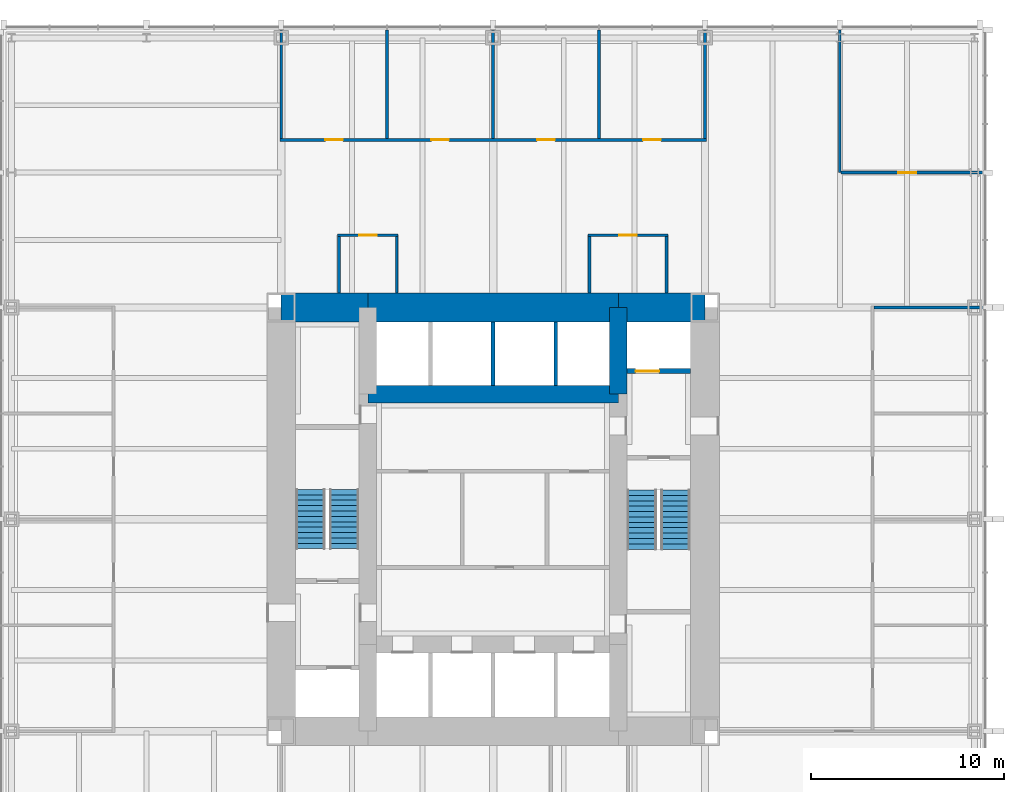
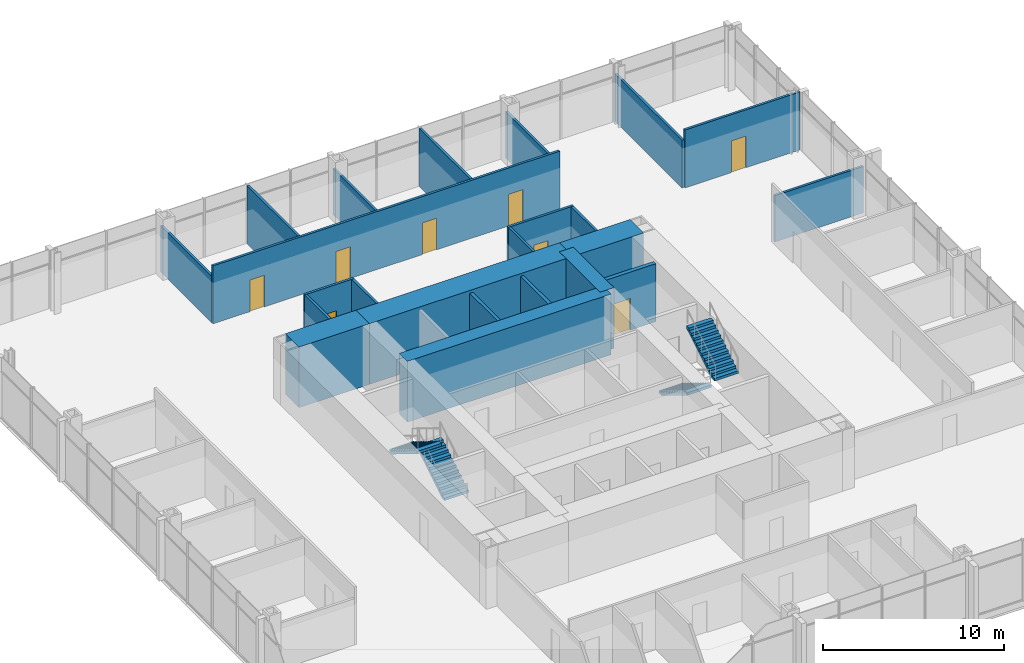
# One storey, part 11 of 12: 23 walls, 8 doors, 4 stair flights, 8 openings, 2 elements without a shape of their own.
"""IFC4 building model written with IfcOpenShell, lengths in metres."""

from ifc_helpers import new_model, si_unit, direction, frame, frame_2d, origin, place, context, subcontext, project, spatial, polyline, rectangle, outline, extrude, material, layer, layer_set, type_object, element, fill, aggregate, save


model = new_model("IFC4")

# Units and contexts
model_context = context("Model", 3, precision=1e-05, world=origin(), true_north=direction((0.0, 1.0)))
body_context = subcontext(model_context, "Body", "Model", "MODEL_VIEW")
ifc_project = project(units=[si_unit("LENGTHUNIT", "METRE"), si_unit("AREAUNIT", "SQUARE_METRE"), si_unit("VOLUMEUNIT", "CUBIC_METRE"), si_unit("PLANEANGLEUNIT", "RADIAN"), si_unit("MASSUNIT", "GRAM", prefix="KILO")], contexts=[model_context])

# Site, building, storey
site_placement = place(None, origin())
site = spatial("IfcSite", under=ifc_project, at=site_placement, CompositionType="ELEMENT")
building_placement = place(site_placement, origin())
building = spatial("IfcBuilding", under=site, at=building_placement, Name="Trevanion Tower", CompositionType="ELEMENT")
storey_placement = place(building_placement, frame((0.0, 0.0, 73.39990234375)))
storey = spatial("IfcBuildingStorey", under=building, at=storey_placement, Name="L17", CompositionType="ELEMENT", Elevation=73.39990234375)

# Walls
ifc_material_1 = material(Name="Concrete 10,000 psi", Category="concrete")
ifc_layer_1 = layer(ifc_material_1, 1.5)
ifc_layer_set_1 = layer_set([ifc_layer_1], Name="CW1 core wall 1500")
wall_type_1 = type_object("IfcWallType", Name="CW1 core wall 1500", PredefinedType="SHEAR", material=ifc_layer_set_1)
wall_1_placement = place(storey_placement, frame((11.0, 11.0, 0.0), z_axis=(0.0, 0.0, 1.0), x_axis=(-1.0, 0.0, 0.0)))
element("IfcWall", 1, at=wall_1_placement, inside=storey, type_object=wall_type_1, Name="CW1 CN1 L17", PredefinedType="SHEAR", context=body_context, shape_type="SweptSolid", body=[
    extrude(rectangle(XDim=4.5, YDim=1.5, at=frame_2d((2.25, 0.0))), origin(), (0.0, 0.0, 1.0), 4.10009765625),
])
wall_2_placement = place(storey_placement, frame((6.5, 11.0, 0.0), z_axis=(0.0, 0.0, 1.0), x_axis=(-1.0, 0.0, 0.0)))
element("IfcWall", 2, at=wall_2_placement, inside=storey, type_object=wall_type_1, Name="CW1 CN2 L17", PredefinedType="SHEAR", context=body_context, shape_type="SweptSolid", body=[
    extrude(rectangle(XDim=13.0, YDim=1.5, at=frame_2d((6.5, 0.0))), origin(), (0.0, 0.0, 1.0), 4.10009765625),
])
wall_3_placement = place(storey_placement, frame((-6.5, 11.0, 0.0), z_axis=(0.0, 0.0, 1.0), x_axis=(-1.0, 0.0, 0.0)))
element("IfcWall", 3, at=wall_3_placement, inside=storey, type_object=wall_type_1, Name="CW1 CN3 L17", PredefinedType="SHEAR", context=body_context, shape_type="SweptSolid", body=[
    extrude(rectangle(XDim=4.5, YDim=1.5, at=frame_2d((2.25, 0.0))), origin(), (0.0, 0.0, 1.0), 4.10009765625),
])
ifc_material_2 = material(Name="Concrete 10,000 psi", Category="concrete")
ifc_layer_2 = layer(ifc_material_2, 0.89990234375)
ifc_layer_set_2 = layer_set([ifc_layer_2], Name="CW2 core wall 900")
wall_type_2 = type_object("IfcWallType", Name="CW2 core wall 900", PredefinedType="SHEAR", material=ifc_layer_set_2)
wall_4_placement = place(storey_placement, frame((6.5, 6.5, 0.0), z_axis=(0.0, 0.0, 1.0), x_axis=(0.0, 1.0, 0.0)))
element("IfcWall", 4, at=wall_4_placement, inside=storey, type_object=wall_type_2, Name="CW2 RE3 L17", PredefinedType="SHEAR", context=body_context, shape_type="SweptSolid", body=[
    extrude(rectangle(XDim=4.5, YDim=0.89990234375, at=frame_2d((2.25, 0.0))), origin(), (0.0, 0.0, 1.0), 4.10009765625),
])
wall_5_placement = place(storey_placement, frame((6.5, 6.5, 0.0), z_axis=(0.0, 0.0, 1.0), x_axis=(-1.0, 0.0, 0.0)))
element("IfcWall", 5, at=wall_5_placement, inside=storey, type_object=wall_type_2, Name="CW2 RN L17", PredefinedType="SHEAR", context=body_context, shape_type="SweptSolid", body=[
    extrude(rectangle(XDim=13.0, YDim=0.89990234375, at=frame_2d((6.5, 0.0))), origin(), (0.0, 0.0, 1.0), 4.10009765625),
])
ifc_material_3 = material(Name="Gypsum board on steel studs", Category="steel")
ifc_layer_3 = layer(ifc_material_3, 0.14990234375)
ifc_layer_set_3 = layer_set([ifc_layer_3], Name="PT1 partition 150")
wall_type_3 = type_object("IfcWallType", Name="PT1 partition 150", PredefinedType="PARTITIONING", material=ifc_layer_set_3)
wall_6_placement = place(storey_placement, frame((18.0, 18.0, 0.0), z_axis=(0.0, 0.0, 1.0), x_axis=(0.0, 1.0, 0.0)))
element("IfcWall", 6, at=wall_6_placement, inside=storey, type_object=wall_type_3, Name="PT1 L17 KW0a", PredefinedType="PARTITIONING", context=body_context, shape_type="SweptSolid", body=[
    extrude(rectangle(XDim=7.4150390625, YDim=0.14990234375, at=frame_2d((3.70751953125, 0.0))), origin(), (0.0, 0.0, 1.0), 3.216796875),
])

# Wall, opening, door
wall_7_placement = place(storey_placement, frame((18.074951171875, 18.0, 0.0), z_axis=(0.0, 0.0, 1.0), x_axis=(1.0, 0.0, 0.0)))
wall_7 = element("IfcWall", 7, at=wall_7_placement, inside=storey, type_object=wall_type_3, Name="PT1 L17 KW0b", PredefinedType="PARTITIONING", context=body_context, shape_type="SweptSolid", body=[
    extrude(rectangle(XDim=7.340087890625, YDim=0.14990234375, at=frame_2d((3.669921875, 0.0))), origin(), (0.0, 0.0, 1.0), 3.91015625),
])
opening_1_placement = place(wall_7_placement, frame((2.967529296875, 0.0, 0.0)))
opening_1 = element("IfcOpeningElement", 8, at=opening_1_placement, cuts=wall_7, Name="Opening 17-020", PredefinedType="OPENING", context=body_context, shape_type="SweptSolid", body=[
    extrude(rectangle(XDim=0.9150390625, YDim=2.134033203125, at=frame_2d((0.45751953125, 1.06689453125))), frame((0.0, 0.0849609375, 0.0), z_axis=(0.0, -1.0, 0.0), x_axis=(1.0, 0.0, 0.0)), (0.0, 0.0, 1.0), 0.169921875),
])
ifc_material_4 = material(Name="Timber veneer, solid core", Category="wood")
door_type_1 = type_object("IfcDoorType", Name="D1 office and meeting room door", OperationType="SINGLE_SWING_LEFT", PredefinedType="DOOR", material=ifc_material_4)
door_1_placement = place(opening_1_placement, origin())
door_1 = element("IfcDoor", 9, at=door_1_placement, inside=storey, type_object=door_type_1, Name="Door 17-020", OperationType="SINGLE_SWING_LEFT", OverallHeight=2.134033203125, OverallWidth=0.9150390625, PredefinedType="DOOR", context=body_context, shape_type="SweptSolid", body=[
    extrude(rectangle(XDim=0.9150390625, YDim=2.134033203125, at=frame_2d((0.45751953125, 1.06689453125))), frame((0.0, 0.02490234375, 0.0), z_axis=(0.0, -1.0, 0.0), x_axis=(1.0, 0.0, 0.0)), (0.0, 0.0, 1.0), 0.050048828125),
])
fill(opening_1, door_1)

# Wall, openings, doors
wall_8_placement = place(storey_placement, frame((11.074951171875, 19.699951171875, 0.0), z_axis=(0.0, 0.0, 1.0), x_axis=(-1.0, 0.0, 0.0)))
wall_8 = element("IfcWall", 10, at=wall_8_placement, inside=storey, type_object=wall_type_3, Name="PT1 L17 FC1F", PredefinedType="PARTITIONING", context=body_context, shape_type="SweptSolid", body=[
    extrude(rectangle(XDim=22.14990234375, YDim=0.14990234375, at=frame_2d((11.074951171875, 0.0))), origin(), (0.0, 0.0, 1.0), 3.91015625),
])
opening_2_placement = place(wall_8_placement, frame((2.367431640625, 0.0, 0.0)))
opening_2 = element("IfcOpeningElement", 11, at=opening_2_placement, cuts=wall_8, Name="Opening 17-022", PredefinedType="OPENING", context=body_context, shape_type="SweptSolid", body=[
    extrude(rectangle(XDim=0.9150390625, YDim=2.134033203125, at=frame_2d((0.45751953125, 1.06689453125))), frame((0.0, 0.0849609375, 0.0), z_axis=(0.0, -1.0, 0.0), x_axis=(1.0, 0.0, 0.0)), (0.0, 0.0, 1.0), 0.169921875),
])
opening_3_placement = place(wall_8_placement, frame((7.867431640625, 0.0, 0.0)))
opening_3 = element("IfcOpeningElement", 12, at=opening_3_placement, cuts=wall_8, Name="Opening 17-023", PredefinedType="OPENING", context=body_context, shape_type="SweptSolid", body=[
    extrude(rectangle(XDim=0.9150390625, YDim=2.134033203125, at=frame_2d((0.45751953125, 1.06689453125))), frame((0.0, 0.0849609375, 0.0), z_axis=(0.0, -1.0, 0.0), x_axis=(1.0, 0.0, 0.0)), (0.0, 0.0, 1.0), 0.169921875),
])
opening_4_placement = place(wall_8_placement, frame((13.367431640625, 0.0, 0.0)))
opening_4 = element("IfcOpeningElement", 13, at=opening_4_placement, cuts=wall_8, Name="Opening 17-024", PredefinedType="OPENING", context=body_context, shape_type="SweptSolid", body=[
    extrude(rectangle(XDim=0.9150390625, YDim=2.134033203125, at=frame_2d((0.45751953125, 1.06689453125))), frame((0.0, 0.0849609375, 0.0), z_axis=(0.0, -1.0, 0.0), x_axis=(1.0, 0.0, 0.0)), (0.0, 0.0, 1.0), 0.169921875),
])
opening_5_placement = place(wall_8_placement, frame((18.867431640625, 0.0, 0.0)))
opening_5 = element("IfcOpeningElement", 14, at=opening_5_placement, cuts=wall_8, Name="Opening 17-025", PredefinedType="OPENING", context=body_context, shape_type="SweptSolid", body=[
    extrude(rectangle(XDim=0.9150390625, YDim=2.134033203125, at=frame_2d((0.45751953125, 1.06689453125))), frame((0.0, 0.0849609375, 0.0), z_axis=(0.0, -1.0, 0.0), x_axis=(1.0, 0.0, 0.0)), (0.0, 0.0, 1.0), 0.169921875),
])
door_2_placement = place(opening_2_placement, origin())
door_2 = element("IfcDoor", 15, at=door_2_placement, inside=storey, type_object=door_type_1, Name="Door 17-022", OperationType="SINGLE_SWING_LEFT", OverallHeight=2.134033203125, OverallWidth=0.9150390625, PredefinedType="DOOR", context=body_context, shape_type="SweptSolid", body=[
    extrude(rectangle(XDim=0.9150390625, YDim=2.134033203125, at=frame_2d((0.45751953125, 1.06689453125))), frame((0.0, 0.02490234375, 0.0), z_axis=(0.0, -1.0, 0.0), x_axis=(1.0, 0.0, 0.0)), (0.0, 0.0, 1.0), 0.050048828125),
])
fill(opening_2, door_2)
door_3_placement = place(opening_3_placement, origin())
door_3 = element("IfcDoor", 16, at=door_3_placement, inside=storey, type_object=door_type_1, Name="Door 17-023", OperationType="SINGLE_SWING_LEFT", OverallHeight=2.134033203125, OverallWidth=0.9150390625, PredefinedType="DOOR", context=body_context, shape_type="SweptSolid", body=[
    extrude(rectangle(XDim=0.9150390625, YDim=2.134033203125, at=frame_2d((0.45751953125, 1.06689453125))), frame((0.0, 0.02490234375, 0.0), z_axis=(0.0, -1.0, 0.0), x_axis=(1.0, 0.0, 0.0)), (0.0, 0.0, 1.0), 0.050048828125),
])
fill(opening_3, door_3)
door_4_placement = place(opening_4_placement, origin())
door_4 = element("IfcDoor", 17, at=door_4_placement, inside=storey, type_object=door_type_1, Name="Door 17-024", OperationType="SINGLE_SWING_LEFT", OverallHeight=2.134033203125, OverallWidth=0.9150390625, PredefinedType="DOOR", context=body_context, shape_type="SweptSolid", body=[
    extrude(rectangle(XDim=0.9150390625, YDim=2.134033203125, at=frame_2d((0.45751953125, 1.06689453125))), frame((0.0, 0.02490234375, 0.0), z_axis=(0.0, -1.0, 0.0), x_axis=(1.0, 0.0, 0.0)), (0.0, 0.0, 1.0), 0.050048828125),
])
fill(opening_4, door_4)
door_5_placement = place(opening_5_placement, origin())
door_5 = element("IfcDoor", 18, at=door_5_placement, inside=storey, type_object=door_type_1, Name="Door 17-025", OperationType="SINGLE_SWING_LEFT", OverallHeight=2.134033203125, OverallWidth=0.9150390625, PredefinedType="DOOR", context=body_context, shape_type="SweptSolid", body=[
    extrude(rectangle(XDim=0.9150390625, YDim=2.134033203125, at=frame_2d((0.45751953125, 1.06689453125))), frame((0.0, 0.02490234375, 0.0), z_axis=(0.0, -1.0, 0.0), x_axis=(1.0, 0.0, 0.0)), (0.0, 0.0, 1.0), 0.050048828125),
])
fill(opening_5, door_5)

# Walls
wall_9_placement = place(storey_placement, frame((11.0, 19.77490234375, 0.0), z_axis=(0.0, 0.0, 1.0), x_axis=(0.0, 1.0, 0.0)))
element("IfcWall", 19, at=wall_9_placement, inside=storey, type_object=wall_type_3, Name="PT1 L17 FC1S0", PredefinedType="PARTITIONING", context=body_context, shape_type="SweptSolid", body=[
    extrude(rectangle(XDim=5.64013671875, YDim=0.14990234375, at=frame_2d((2.820068359375, 0.0))), origin(), (0.0, 0.0, 1.0), 3.13037109375),
])
wall_10_placement = place(storey_placement, frame((5.5, 19.77490234375, 0.0), z_axis=(0.0, 0.0, 1.0), x_axis=(0.0, 1.0, 0.0)))
element("IfcWall", 20, at=wall_10_placement, inside=storey, type_object=wall_type_3, Name="PT1 L17 FC1S2", PredefinedType="PARTITIONING", context=body_context, shape_type="SweptSolid", body=[
    extrude(rectangle(XDim=5.64013671875, YDim=0.14990234375, at=frame_2d((2.820068359375, 0.0))), origin(), (0.0, 0.0, 1.0), 3.91015625),
])
wall_11_placement = place(storey_placement, frame((0.0, 19.77490234375, 0.0), z_axis=(0.0, 0.0, 1.0), x_axis=(0.0, 1.0, 0.0)))
element("IfcWall", 21, at=wall_11_placement, inside=storey, type_object=wall_type_3, Name="PT1 L17 FC1S4", PredefinedType="PARTITIONING", context=body_context, shape_type="SweptSolid", body=[
    extrude(rectangle(XDim=5.64013671875, YDim=0.14990234375, at=frame_2d((2.820068359375, 0.0))), origin(), (0.0, 0.0, 1.0), 3.13037109375),
])
wall_12_placement = place(storey_placement, frame((-5.5, 19.77490234375, 0.0), z_axis=(0.0, 0.0, 1.0), x_axis=(0.0, 1.0, 0.0)))
element("IfcWall", 22, at=wall_12_placement, inside=storey, type_object=wall_type_3, Name="PT1 L17 FC1S6", PredefinedType="PARTITIONING", context=body_context, shape_type="SweptSolid", body=[
    extrude(rectangle(XDim=5.64013671875, YDim=0.14990234375, at=frame_2d((2.820068359375, 0.0))), origin(), (0.0, 0.0, 1.0), 3.91015625),
])
for number, where, z_axis, x_axis, name in (
    (23, (-11.0, 19.77490234375, 0.0), (0.0, 0.0, 1.0), (0.0, 1.0, 0.0), "PT1 L17 FC1S8"),
    (24, (19.77490234375, 11.0, 0.0), (0.0, 0.0, 1.0), (1.0, 0.0, 0.0), "PT1 L17 FC0S8"),
):
    element("IfcWall", number, at=place(storey_placement, frame(where, z_axis=z_axis, x_axis=x_axis)), inside=storey, type_object=wall_type_3, Name=name, PredefinedType="PARTITIONING", context=body_context, shape_type="SweptSolid", body=[
        extrude(rectangle(XDim=5.64013671875, YDim=0.14990234375, at=frame_2d((2.820068359375, 0.0))), origin(), (0.0, 0.0, 1.0), 3.13037109375),
    ])

# Wall, opening, door
wall_13_placement = place(storey_placement, frame((9.074951171875, 14.75, 0.0), z_axis=(0.0, 0.0, 1.0), x_axis=(-1.0, 0.0, 0.0)))
wall_13 = element("IfcWall", 25, at=wall_13_placement, inside=storey, type_object=wall_type_3, Name="PT1 L17 IN10F", PredefinedType="PARTITIONING", context=body_context, shape_type="SweptSolid", body=[
    extrude(rectangle(XDim=4.14990234375, YDim=0.14990234375, at=frame_2d((2.074951171875, 0.0))), origin(), (0.0, 0.0, 1.0), 3.91015625),
])
opening_6_placement = place(wall_13_placement, frame((1.617431640625, 0.0, 0.0)))
opening_6 = element("IfcOpeningElement", 26, at=opening_6_placement, cuts=wall_13, Name="Opening 17-040", PredefinedType="OPENING", context=body_context, shape_type="SweptSolid", body=[
    extrude(rectangle(XDim=0.9150390625, YDim=2.134033203125, at=frame_2d((0.45751953125, 1.06689453125))), frame((0.0, 0.0849609375, 0.0), z_axis=(0.0, -1.0, 0.0), x_axis=(1.0, 0.0, 0.0)), (0.0, 0.0, 1.0), 0.169921875),
])
door_6_placement = place(opening_6_placement, origin())
door_6 = element("IfcDoor", 27, at=door_6_placement, inside=storey, type_object=door_type_1, Name="Door 17-040", OperationType="SINGLE_SWING_LEFT", OverallHeight=2.134033203125, OverallWidth=0.9150390625, PredefinedType="DOOR", context=body_context, shape_type="SweptSolid", body=[
    extrude(rectangle(XDim=0.9150390625, YDim=2.134033203125, at=frame_2d((0.45751953125, 1.06689453125))), frame((0.0, 0.02490234375, 0.0), z_axis=(0.0, -1.0, 0.0), x_axis=(1.0, 0.0, 0.0)), (0.0, 0.0, 1.0), 0.050048828125),
])
fill(opening_6, door_6)

# Walls
for number, where, z_axis, x_axis, name in (
    (28, (9.0, 14.675048828125, 0.0), (0.0, 0.0, 1.0), (0.0, -1.0, 0.0), "PT1 L17 IN10S0"),
    (29, (5.0, 14.675048828125, 0.0), (0.0, 0.0, 1.0), (0.0, -1.0, 0.0), "PT1 L17 IN10S1"),
):
    element("IfcWall", number, at=place(storey_placement, frame(where, z_axis=z_axis, x_axis=x_axis)), inside=storey, type_object=wall_type_3, Name=name, PredefinedType="PARTITIONING", context=body_context, shape_type="SweptSolid", body=[
        extrude(rectangle(XDim=2.925048828125, YDim=0.14990234375, at=frame_2d((1.46240234375, 0.0))), origin(), (0.0, 0.0, 1.0), 3.91015625),
    ])

# Wall, opening, door
wall_14_placement = place(storey_placement, frame((-4.925048828125, 14.75, 0.0), z_axis=(0.0, 0.0, 1.0), x_axis=(-1.0, 0.0, 0.0)))
wall_14 = element("IfcWall", 30, at=wall_14_placement, inside=storey, type_object=wall_type_3, Name="PT1 L17 IN11F", PredefinedType="PARTITIONING", context=body_context, shape_type="SweptSolid", body=[
    extrude(rectangle(XDim=3.14990234375, YDim=0.14990234375, at=frame_2d((1.574951171875, 0.0))), origin(), (0.0, 0.0, 1.0), 3.91015625),
])
opening_7_placement = place(wall_14_placement, frame((1.117431640625, 0.0, 0.0)))
opening_7 = element("IfcOpeningElement", 31, at=opening_7_placement, cuts=wall_14, Name="Opening 17-041", PredefinedType="OPENING", context=body_context, shape_type="SweptSolid", body=[
    extrude(rectangle(XDim=0.9150390625, YDim=2.134033203125, at=frame_2d((0.45751953125, 1.06689453125))), frame((0.0, 0.0849609375, 0.0), z_axis=(0.0, -1.0, 0.0), x_axis=(1.0, 0.0, 0.0)), (0.0, 0.0, 1.0), 0.169921875),
])
door_7_placement = place(opening_7_placement, origin())
door_7 = element("IfcDoor", 32, at=door_7_placement, inside=storey, type_object=door_type_1, Name="Door 17-041", OperationType="SINGLE_SWING_LEFT", OverallHeight=2.134033203125, OverallWidth=0.9150390625, PredefinedType="DOOR", context=body_context, shape_type="SweptSolid", body=[
    extrude(rectangle(XDim=0.9150390625, YDim=2.134033203125, at=frame_2d((0.45751953125, 1.06689453125))), frame((0.0, 0.02490234375, 0.0), z_axis=(0.0, -1.0, 0.0), x_axis=(1.0, 0.0, 0.0)), (0.0, 0.0, 1.0), 0.050048828125),
])
fill(opening_7, door_7)

# Walls
for number, where, z_axis, x_axis, name in (
    (33, (-5.0, 14.675048828125, 0.0), (0.0, 0.0, 1.0), (0.0, -1.0, 0.0), "PT1 L17 IN11S0"),
    (34, (-8.0, 14.675048828125, 0.0), (0.0, 0.0, 1.0), (0.0, -1.0, 0.0), "PT1 L17 IN11S1"),
):
    element("IfcWall", number, at=place(storey_placement, frame(where, z_axis=z_axis, x_axis=x_axis)), inside=storey, type_object=wall_type_3, Name=name, PredefinedType="PARTITIONING", context=body_context, shape_type="SweptSolid", body=[
        extrude(rectangle(XDim=2.925048828125, YDim=0.14990234375, at=frame_2d((1.46240234375, 0.0))), origin(), (0.0, 0.0, 1.0), 3.91015625),
    ])
ifc_material_5 = material(Name="Concrete masonry, grouted", Category="masonry")
ifc_layer_4 = layer(ifc_material_5, 0.199951171875)
ifc_layer_set_4 = layer_set([ifc_layer_4], Name="PT2 partition 200 2 HR")
wall_type_4 = type_object("IfcWallType", Name="PT2 partition 200 2 HR", PredefinedType="PARTITIONING", material=ifc_layer_set_4)
for number, where, z_axis, x_axis, name in (
    (35, (0.0, 6.949951171875, 0.0), (0.0, 0.0, 1.0), (0.0, 1.0, 0.0), "PT2 L17 NS1"),
    (36, (3.25, 6.949951171875, 0.0), (0.0, 0.0, 1.0), (0.0, 1.0, 0.0), "PT2 L17 NS2"),
):
    element("IfcWall", number, at=place(storey_placement, frame(where, z_axis=z_axis, x_axis=x_axis)), inside=storey, type_object=wall_type_4, Name=name, PredefinedType="PARTITIONING", context=body_context, shape_type="SweptSolid", body=[
        extrude(rectangle(XDim=3.300048828125, YDim=0.199951171875, at=frame_2d((1.64990234375, 0.0))), origin(), (0.0, 0.0, 1.0), 3.91015625),
    ])

# Wall, opening, door
ifc_material_6 = material(Name="Concrete masonry, grouted, two-hour", Category="masonry")
ifc_layer_5 = layer(ifc_material_6, 0.25)
ifc_layer_set_5 = layer_set([ifc_layer_5], Name="PT3 partition 250 2 HR")
wall_type_5 = type_object("IfcWallType", Name="PT3 partition 250 2 HR", PredefinedType="PARTITIONING", material=ifc_layer_set_5)
wall_15_placement = place(storey_placement, frame((6.949951171875, 7.699951171875, 0.0), z_axis=(0.0, 0.0, 1.0), x_axis=(1.0, 0.0, 0.0)))
wall_15 = element("IfcWall", 37, at=wall_15_placement, inside=storey, type_object=wall_type_5, Name="PT3 L17 EP3", PredefinedType="PARTITIONING", context=body_context, shape_type="SweptSolid", body=[
    extrude(rectangle(XDim=3.300048828125, YDim=0.25, at=frame_2d((1.64990234375, 0.0))), origin(), (0.0, 0.0, 1.0), 3.91015625),
])
opening_8_placement = place(wall_15_placement, frame((0.449951171875, 0.0, 0.0)))
opening_8 = element("IfcOpeningElement", 38, at=opening_8_placement, cuts=wall_15, Name="Opening 17-007", PredefinedType="OPENING", context=body_context, shape_type="SweptSolid", body=[
    extrude(rectangle(XDim=1.218994140625, YDim=2.134033203125, at=frame_2d((0.609375, 1.06689453125))), frame((0.0, 0.135009765625, 0.0), z_axis=(0.0, -1.0, 0.0), x_axis=(1.0, 0.0, 0.0)), (0.0, 0.0, 1.0), 0.27001953125),
])
ifc_material_7 = material(Name="Stainless steel, fire rated", Category="steel")
door_type_2 = type_object("IfcDoorType", Name="LD2 fire service lift landing door", OperationType="SLIDING_TO_LEFT", PredefinedType="DOOR", material=ifc_material_7)
door_8_placement = place(opening_8_placement, origin())
door_8 = element("IfcDoor", 39, at=door_8_placement, inside=storey, type_object=door_type_2, Name="Door 17-007", OperationType="SLIDING_TO_LEFT", OverallHeight=2.134033203125, OverallWidth=1.218994140625, PredefinedType="DOOR", context=body_context, shape_type="SweptSolid", body=[
    extrude(rectangle(XDim=1.218994140625, YDim=2.134033203125, at=frame_2d((0.609375, 1.06689453125))), frame((0.0, 0.02490234375, 0.0), z_axis=(0.0, -1.0, 0.0), x_axis=(1.0, 0.0, 0.0)), (0.0, 0.0, 1.0), 0.050048828125),
])
fill(opening_8, door_8)

# Stair, stair flights
ifc_material_8 = material(Name="Concrete 5,000 psi on steel stringers", Category="concrete")
stair_type = type_object("IfcStairType", Name="ST stair", PredefinedType="HALF_TURN_STAIR", material=ifc_material_8)
stair_1_placement = place(storey_placement, origin())
stair_1 = element("IfcStair", 40, at=stair_1_placement, inside=storey, type_object=stair_type, Name="ST1 L17", PredefinedType="HALF_TURN_STAIR")
ifc_material_9 = material(Name="Concrete 5,000 psi in steel pan", Category="concrete")
stair_flight_type = type_object("IfcStairFlightType", Name="STF stair flight", PredefinedType="STRAIGHT", material=ifc_material_9)
stair_flight_1_placement = place(storey_placement, frame((7.72509765625, 1.52490234375, 0.0), z_axis=(0.0, 0.0, 1.0), x_axis=(0.0, -1.0, 0.0)))
stair_flight_1 = element("IfcStairFlight", 41, at=stair_flight_1_placement, type_object=stair_flight_type, Name="ST1 flight 1", NumberOfRisers=12, NumberOfTreads=11, PredefinedType="STRAIGHT", RiserHeight=0.170833333, TreadLength=0.28, context=body_context, shape_type="SweptSolid", body=[
    extrude(outline(polyline([(0.0, 0.0), (0.0, 0.1708984375), (0.280029296875, 0.1708984375), (0.280029296875, 0.341552734375), (0.56005859375, 0.341552734375), (0.56005859375, 0.512451171875), (0.840087890625, 0.512451171875), (0.840087890625, 0.683349609375), (1.1201171875, 0.683349609375), (1.1201171875, 0.854248046875), (1.39990234375, 0.854248046875), (1.39990234375, 1.02490234375), (1.679931640625, 1.02490234375), (1.679931640625, 1.19580078125), (1.9599609375, 1.19580078125), (1.9599609375, 1.36669921875), (2.239990234375, 1.36669921875), (2.239990234375, 1.53759765625), (2.52001953125, 1.53759765625), (2.52001953125, 1.708251953125), (2.800048828125, 1.708251953125), (2.800048828125, 1.879150390625), (3.080078125, 1.879150390625), (3.080078125, 2.050048828125), (3.080078125, 1.70361328125), (0.287841796875, 0.0), (0.0, 0.0)])), frame((0.0, 0.77490234375, 0.0), z_axis=(0.0, -1.0, 0.0), x_axis=(1.0, 0.0, 0.0)), (0.0, 0.0, 1.0), 1.550048828125),
])
stair_flight_2_placement = place(storey_placement, frame((9.47509765625, -1.554931640625, 2.050048828125), z_axis=(0.0, 0.0, 1.0), x_axis=(0.0, 1.0, 0.0)))
stair_flight_2 = element("IfcStairFlight", 42, at=stair_flight_2_placement, type_object=stair_flight_type, Name="ST1 flight 2", NumberOfRisers=12, NumberOfTreads=11, PredefinedType="STRAIGHT", RiserHeight=0.170833333, TreadLength=0.28, context=body_context, shape_type="SweptSolid", body=[
    extrude(outline(polyline([(0.0, 0.0), (0.0, 0.1708984375), (0.280029296875, 0.1708984375), (0.280029296875, 0.341552734375), (0.56005859375, 0.341552734375), (0.56005859375, 0.512451171875), (0.840087890625, 0.512451171875), (0.840087890625, 0.683349609375), (1.1201171875, 0.683349609375), (1.1201171875, 0.854248046875), (1.39990234375, 0.854248046875), (1.39990234375, 1.02490234375), (1.679931640625, 1.02490234375), (1.679931640625, 1.19580078125), (1.9599609375, 1.19580078125), (1.9599609375, 1.36669921875), (2.239990234375, 1.36669921875), (2.239990234375, 1.53759765625), (2.52001953125, 1.53759765625), (2.52001953125, 1.708251953125), (2.800048828125, 1.708251953125), (2.800048828125, 1.879150390625), (3.080078125, 1.879150390625), (3.080078125, 2.050048828125), (3.080078125, 1.70361328125), (0.287841796875, 0.0), (0.0, 0.0)])), frame((0.0, 0.77490234375, 0.0), z_axis=(0.0, -1.0, 0.0), x_axis=(1.0, 0.0, 0.0)), (0.0, 0.0, 1.0), 1.550048828125),
])
aggregate(stair_1, [stair_flight_1, stair_flight_2])

stair_2_placement = place(storey_placement, origin())
stair_2 = element("IfcStair", 43, at=stair_2_placement, inside=storey, type_object=stair_type, Name="ST2 L17", PredefinedType="HALF_TURN_STAIR")
stair_flight_3_placement = place(storey_placement, frame((-7.72509765625, -1.52490234375, 0.0), z_axis=(0.0, 0.0, 1.0), x_axis=(0.0, 1.0, 0.0)))
stair_flight_3 = element("IfcStairFlight", 44, at=stair_flight_3_placement, type_object=stair_flight_type, Name="ST2 flight 1", NumberOfRisers=12, NumberOfTreads=11, PredefinedType="STRAIGHT", RiserHeight=0.170833333, TreadLength=0.28, context=body_context, shape_type="SweptSolid", body=[
    extrude(outline(polyline([(0.0, 0.0), (0.0, 0.1708984375), (0.280029296875, 0.1708984375), (0.280029296875, 0.341552734375), (0.56005859375, 0.341552734375), (0.56005859375, 0.512451171875), (0.840087890625, 0.512451171875), (0.840087890625, 0.683349609375), (1.1201171875, 0.683349609375), (1.1201171875, 0.854248046875), (1.39990234375, 0.854248046875), (1.39990234375, 1.02490234375), (1.679931640625, 1.02490234375), (1.679931640625, 1.19580078125), (1.9599609375, 1.19580078125), (1.9599609375, 1.36669921875), (2.239990234375, 1.36669921875), (2.239990234375, 1.53759765625), (2.52001953125, 1.53759765625), (2.52001953125, 1.708251953125), (2.800048828125, 1.708251953125), (2.800048828125, 1.879150390625), (3.080078125, 1.879150390625), (3.080078125, 2.050048828125), (3.080078125, 1.70361328125), (0.287841796875, 0.0), (0.0, 0.0)])), frame((0.0, 0.77490234375, 0.0), z_axis=(0.0, -1.0, 0.0), x_axis=(1.0, 0.0, 0.0)), (0.0, 0.0, 1.0), 1.550048828125),
])
stair_flight_4_placement = place(storey_placement, frame((-9.47509765625, 1.554931640625, 2.050048828125), z_axis=(0.0, 0.0, 1.0), x_axis=(0.0, -1.0, 0.0)))
stair_flight_4 = element("IfcStairFlight", 45, at=stair_flight_4_placement, type_object=stair_flight_type, Name="ST2 flight 2", NumberOfRisers=12, NumberOfTreads=11, PredefinedType="STRAIGHT", RiserHeight=0.170833333, TreadLength=0.28, context=body_context, shape_type="SweptSolid", body=[
    extrude(outline(polyline([(0.0, 0.0), (0.0, 0.1708984375), (0.280029296875, 0.1708984375), (0.280029296875, 0.341552734375), (0.56005859375, 0.341552734375), (0.56005859375, 0.512451171875), (0.840087890625, 0.512451171875), (0.840087890625, 0.683349609375), (1.1201171875, 0.683349609375), (1.1201171875, 0.854248046875), (1.39990234375, 0.854248046875), (1.39990234375, 1.02490234375), (1.679931640625, 1.02490234375), (1.679931640625, 1.19580078125), (1.9599609375, 1.19580078125), (1.9599609375, 1.36669921875), (2.239990234375, 1.36669921875), (2.239990234375, 1.53759765625), (2.52001953125, 1.53759765625), (2.52001953125, 1.708251953125), (2.800048828125, 1.708251953125), (2.800048828125, 1.879150390625), (3.080078125, 1.879150390625), (3.080078125, 2.050048828125), (3.080078125, 1.70361328125), (0.287841796875, 0.0), (0.0, 0.0)])), frame((0.0, 0.77490234375, 0.0), z_axis=(0.0, -1.0, 0.0), x_axis=(1.0, 0.0, 0.0)), (0.0, 0.0, 1.0), 1.550048828125),
])
aggregate(stair_2, [stair_flight_3, stair_flight_4])

save(model, "model.ifc")
